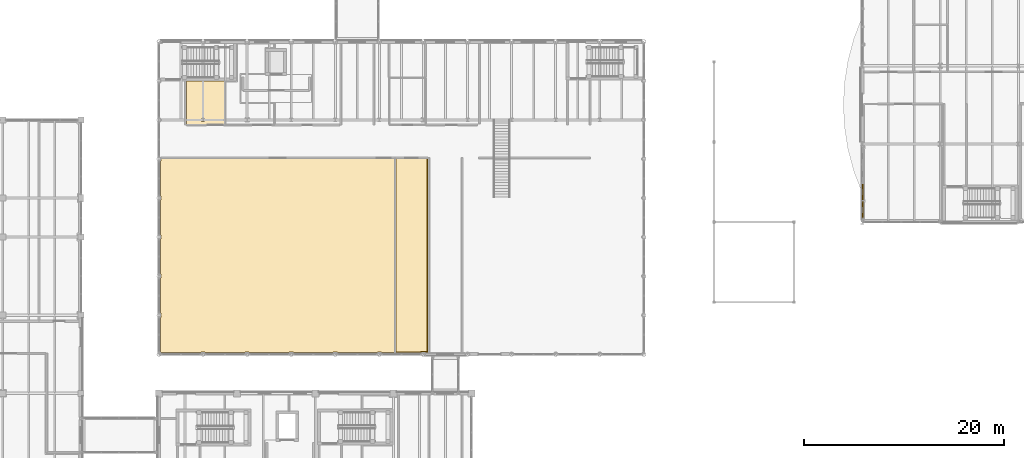
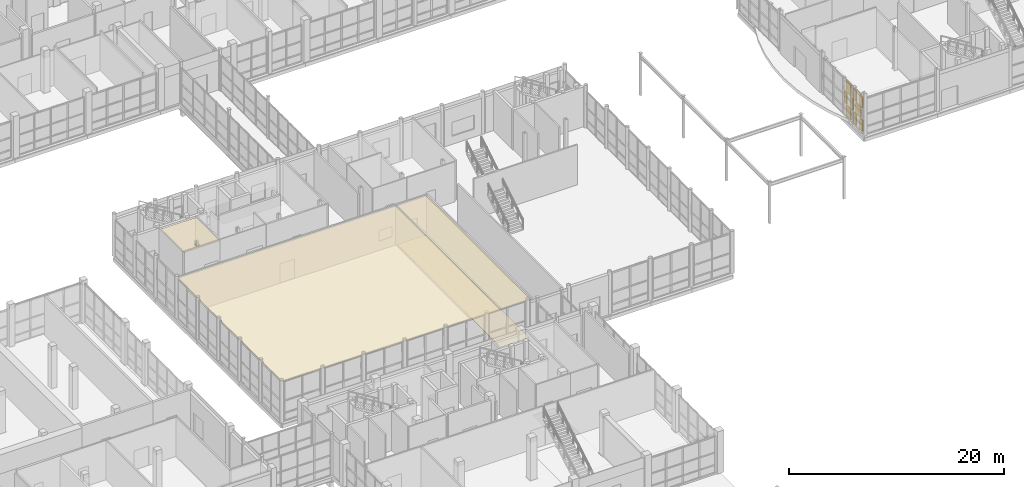
# One storey, part 118 of 131: 13 coverings.
"""IFC4 building model written with IfcOpenShell, lengths in metres."""

from ifc_helpers import new_model, si_unit, direction, frame, origin, origin_2d, place, context, subcontext, project, spatial, polyline, rectangle, outline, extrude, material, layer, layer_set, type_object, element, save


model = new_model("IFC4")

# Units and contexts
model_context = context("Model", 3, precision=1e-05, world=origin(), true_north=direction((0.0, 1.0)))
body_context = subcontext(model_context, "Body", "Model", "MODEL_VIEW")
ifc_project = project(units=[si_unit("LENGTHUNIT", "METRE"), si_unit("AREAUNIT", "SQUARE_METRE"), si_unit("VOLUMEUNIT", "CUBIC_METRE"), si_unit("PLANEANGLEUNIT", "RADIAN"), si_unit("MASSUNIT", "GRAM", prefix="KILO")], contexts=[model_context])

# Site, building, storey
site_placement = place(None, origin())
site = spatial("IfcSite", under=ifc_project, at=site_placement, CompositionType="ELEMENT")
building_placement = place(site_placement, origin())
building = spatial("IfcBuilding", under=site, at=building_placement, Name="Celorna Specialist Clinic", CompositionType="ELEMENT")
storey_placement = place(building_placement, origin())
storey = spatial("IfcBuildingStorey", under=building, at=storey_placement, Name="L00", CompositionType="ELEMENT", Elevation=0.0)

# Coverings
ifc_material_1 = material(Name="Hygienic acoustic mineral-fibre ceiling")
ifc_layer_1 = layer(ifc_material_1, 0.030029296875, Name="Hygienic acoustic mineral-fibre ceiling")
ifc_layer_set_1 = layer_set([ifc_layer_1], Name="Hygienic acoustic mineral-fibre ceiling")
covering_type_1 = type_object("IfcCoveringType", Name="CE-01", PredefinedType="CEILING", material=ifc_layer_set_1)
covering_1_placement = place(storey_placement, frame((0.0, 0.0, 4.330078125)))
element("IfcCovering", 1, at=covering_1_placement, inside=storey, type_object=covering_type_1, Name="Acoustic ceiling L00-017", PredefinedType="CEILING", context=body_context, shape_type="SweptSolid", body=[
    extrude(outline(polyline([(54.7548828125, 50.49169921875), (54.80810546875, 50.49169921875), (54.80810546875, 50.908203125), (54.7548828125, 50.908203125), (54.7548828125, 54.391845703125), (54.80810546875, 54.391845703125), (54.80810546875, 54.80810546875), (54.7548828125, 54.80810546875), (54.7548828125, 58.291748046875), (54.80810546875, 58.291748046875), (54.80810546875, 58.708251953125), (54.7548828125, 58.708251953125), (54.7548828125, 62.19189453125), (54.80810546875, 62.19189453125), (54.80810546875, 62.608154296875), (54.7548828125, 62.608154296875), (54.7548828125, 66.091796875), (54.80810546875, 66.091796875), (54.80810546875, 66.4150390625), (78.18505859375, 66.4150390625), (78.18505859375, 46.955078125), (76.80810546875, 46.955078125), (76.80810546875, 47.00830078125), (76.391845703125, 47.00830078125), (76.391845703125, 46.955078125), (72.408203125, 46.955078125), (72.408203125, 47.00830078125), (71.99169921875, 47.00830078125), (71.99169921875, 46.955078125), (68.00830078125, 46.955078125), (68.00830078125, 47.00830078125), (67.591796875, 47.00830078125), (67.591796875, 46.955078125), (63.608154296875, 46.955078125), (63.608154296875, 47.00830078125), (63.19189453125, 47.00830078125), (63.19189453125, 46.955078125), (59.208251953125, 46.955078125), (59.208251953125, 47.00830078125), (58.791748046875, 47.00830078125), (58.791748046875, 46.955078125), (54.80810546875, 46.955078125), (54.80810546875, 47.00830078125), (54.7548828125, 47.00830078125), (54.7548828125, 50.49169921875)])), origin(), (0.0, 0.0, 1.0), 0.030029296875),
])
covering_2_placement = place(storey_placement, frame((0.0, 0.0, 4.330078125)))
element("IfcCovering", 2, at=covering_2_placement, inside=storey, type_object=covering_type_1, Name="Acoustic ceiling L00-018", PredefinedType="CEILING", context=body_context, shape_type="SweptSolid", body=[
    extrude(outline(polyline([(81.445068359375, 66.4150390625), (81.445068359375, 46.955078125), (81.208251953125, 46.955078125), (81.208251953125, 47.00830078125), (80.791748046875, 47.00830078125), (80.791748046875, 46.955078125), (78.155029296875, 46.955078125), (78.155029296875, 66.4150390625), (81.445068359375, 66.4150390625)])), origin(), (0.0, 0.0, 1.0), 0.030029296875),
])
covering_3_placement = place(storey_placement, frame((0.0, 0.0, 4.330078125)))
element("IfcCovering", 3, at=covering_3_placement, inside=storey, type_object=covering_type_1, Name="Acoustic ceiling L00-019", PredefinedType="CEILING", context=body_context, shape_type="SweptSolid", body=[
    extrude(outline(polyline([(57.344970703125, 74.094970703125), (61.18505859375, 74.094970703125), (61.18505859375, 69.68505859375), (57.344970703125, 69.68505859375), (57.344970703125, 74.094970703125)]), holes=[polyline([(59.155029296875, 70.044921875), (59.155029296875, 70.35498046875), (58.844970703125, 70.35498046875), (58.844970703125, 70.044921875), (59.155029296875, 70.044921875)])]), origin(), (0.0, 0.0, 1.0), 0.030029296875),
])
ifc_material_2 = material(Name="Perforated terracotta brick weave cladding", Category="masonry")
ifc_layer_2 = layer(ifc_material_2, 0.114990234375, Name="Perforated terracotta brick weave cladding")
ifc_layer_set_2 = layer_set([ifc_layer_2], Name="Perforated terracotta brick weave cladding")
covering_type_2 = type_object("IfcCoveringType", Name="CL-02", PredefinedType="CLADDING", material=ifc_layer_set_2)
for number, where, z_axis, x_axis, name in (
    (4, (124.8701171875, 60.648681640625, 0.10009765625), (0.0, 0.0, 1.0), (0.0, 1.0, 0.0), "Woven perforated terracotta brick course #1590"),
    (5, (124.8701171875, 61.803955078125, 0.10009765625), (0.0, 0.0, 1.0), (0.0, 1.0, 0.0), "Woven perforated terracotta brick course #1591"),
):
    element("IfcCovering", number, at=place(storey_placement, frame(where, z_axis=z_axis, x_axis=x_axis)), inside=storey, type_object=covering_type_2, Name=name, PredefinedType="CLADDING", context=body_context, shape_type="SweptSolid", body=[
        extrude(rectangle(XDim=0.507080078125, YDim=0.114990234375, at=origin_2d()), origin(), (0.0, 0.0, 1.0), 1.24658203125),
    ])
covering_4_placement = place(storey_placement, frame((124.8701171875, 61.226318359375, 1.44677734375), z_axis=(0.0, 0.0, 1.0), x_axis=(0.0, 1.0, 0.0)))
element("IfcCovering", 6, at=covering_4_placement, inside=storey, type_object=covering_type_2, Name="Woven perforated terracotta brick course #1592", PredefinedType="CLADDING", context=body_context, shape_type="SweptSolid", body=[
    extrude(rectangle(XDim=0.897705078125, YDim=0.114990234375, at=origin_2d()), origin(), (0.0, 0.0, 1.0), 1.24658203125),
])
for number, where, z_axis, x_axis, name in (
    (7, (124.8701171875, 60.648681640625, 2.793212890625), (0.0, 0.0, 1.0), (0.0, 1.0, 0.0), "Woven perforated terracotta brick course #1593"),
    (8, (124.8701171875, 61.803955078125, 2.793212890625), (0.0, 0.0, 1.0), (0.0, 1.0, 0.0), "Woven perforated terracotta brick course #1594"),
):
    element("IfcCovering", number, at=place(storey_placement, frame(where, z_axis=z_axis, x_axis=x_axis)), inside=storey, type_object=covering_type_2, Name=name, PredefinedType="CLADDING", context=body_context, shape_type="SweptSolid", body=[
        extrude(rectangle(XDim=0.507080078125, YDim=0.114990234375, at=origin_2d()), origin(), (0.0, 0.0, 1.0), 1.24658203125),
    ])
covering_5_placement = place(storey_placement, frame((124.8701171875, 63.0087890625, 0.10009765625), z_axis=(0.0, 0.0, 1.0), x_axis=(0.0, 1.0, 0.0)))
element("IfcCovering", 9, at=covering_5_placement, inside=storey, type_object=covering_type_2, Name="Woven perforated terracotta brick course #1595", PredefinedType="CLADDING", context=body_context, shape_type="SweptSolid", body=[
    extrude(rectangle(XDim=0.897705078125, YDim=0.114990234375, at=origin_2d()), origin(), (0.0, 0.0, 1.0), 1.24658203125),
])
for number, where, z_axis, x_axis, name in (
    (10, (124.8701171875, 62.430908203125, 1.44677734375), (0.0, 0.0, 1.0), (0.0, 1.0, 0.0), "Woven perforated terracotta brick course #1596"),
    (11, (124.8701171875, 63.58642578125, 1.44677734375), (0.0, 0.0, 1.0), (0.0, 1.0, 0.0), "Woven perforated terracotta brick course #1597"),
):
    element("IfcCovering", number, at=place(storey_placement, frame(where, z_axis=z_axis, x_axis=x_axis)), inside=storey, type_object=covering_type_2, Name=name, PredefinedType="CLADDING", context=body_context, shape_type="SweptSolid", body=[
        extrude(rectangle(XDim=0.507080078125, YDim=0.114990234375, at=origin_2d()), origin(), (0.0, 0.0, 1.0), 1.24658203125),
    ])
covering_6_placement = place(storey_placement, frame((124.8701171875, 63.0087890625, 2.793212890625), z_axis=(0.0, 0.0, 1.0), x_axis=(0.0, 1.0, 0.0)))
element("IfcCovering", 12, at=covering_6_placement, inside=storey, type_object=covering_type_2, Name="Woven perforated terracotta brick course #1598", PredefinedType="CLADDING", context=body_context, shape_type="SweptSolid", body=[
    extrude(rectangle(XDim=0.897705078125, YDim=0.114990234375, at=origin_2d()), origin(), (0.0, 0.0, 1.0), 1.24658203125),
])
ifc_material_3 = material(Name="Seamless antimicrobial clinical vinyl and Lioz terrazzo flooring")
ifc_layer_3 = layer(ifc_material_3, 0.02001953125, Name="Seamless antimicrobial clinical vinyl and Lioz terrazzo flooring")
ifc_layer_set_3 = layer_set([ifc_layer_3], Name="Seamless antimicrobial clinical vinyl and Lioz terrazzo flooring")
covering_type_3 = type_object("IfcCoveringType", Name="FL-01", PredefinedType="FLOORING", material=ifc_layer_set_3)
covering_7_placement = place(storey_placement, origin())
element("IfcCovering", 13, at=covering_7_placement, inside=storey, type_object=covering_type_3, Name="Antimicrobial clinical flooring L00-018", PredefinedType="FLOORING", context=body_context, shape_type="SweptSolid", body=[
    extrude(outline(polyline([(78.2451171875, 66.324951171875), (81.35498046875, 66.324951171875), (81.35498046875, 47.044921875), (81.2880859375, 47.044921875), (81.2880859375, 47.088134765625), (80.7119140625, 47.088134765625), (80.7119140625, 47.044921875), (78.2451171875, 47.044921875), (78.2451171875, 66.324951171875)])), origin(), (0.0, 0.0, 1.0), 0.02001953125),
])

save(model, "model.ifc")
